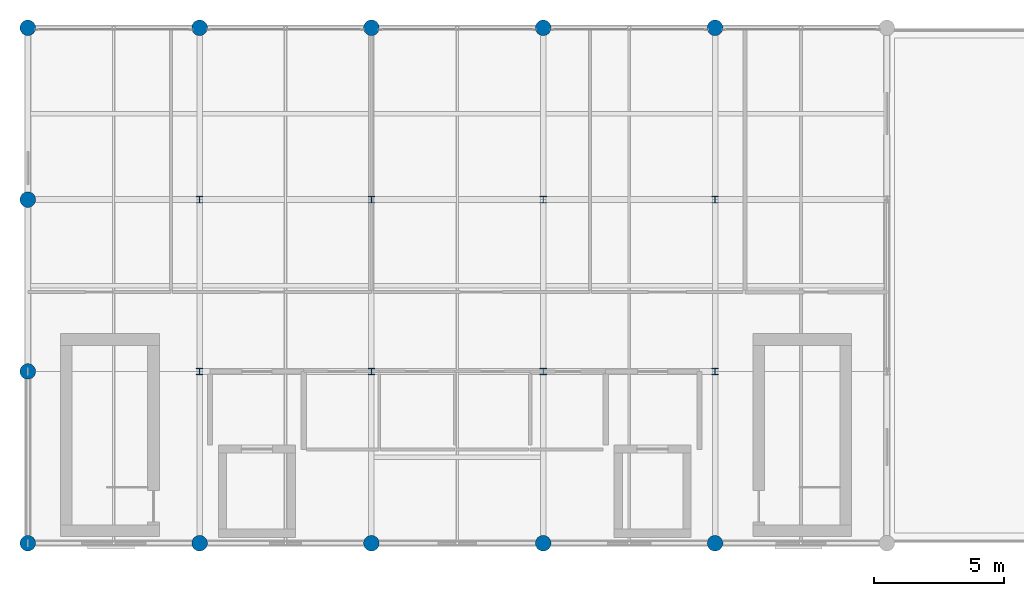
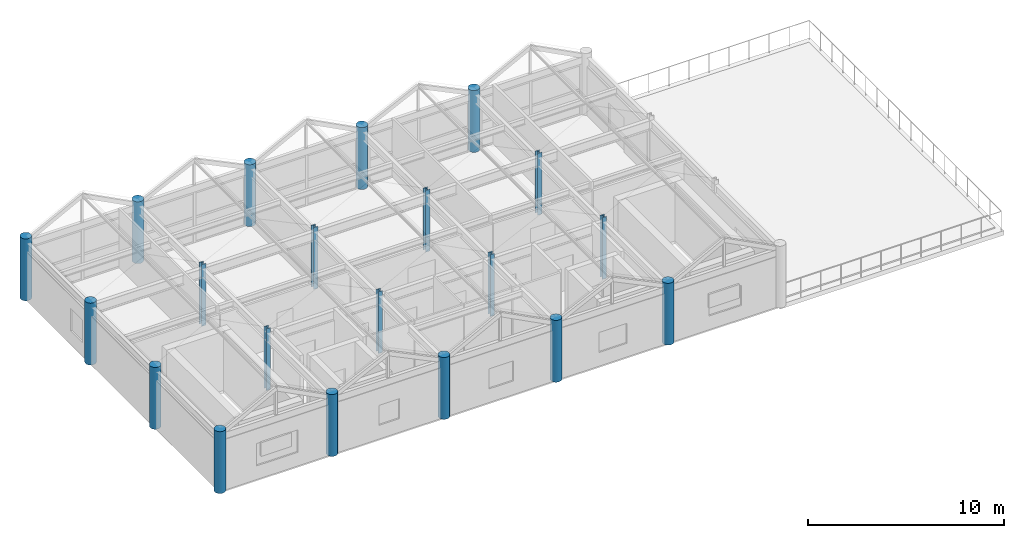
# One storey, part 1 of 21: 20 columns.
"""IFC4 building model written with IfcOpenShell, lengths in metres."""

from ifc_helpers import new_model, si_unit, direction, frame, origin, origin_2d, place, context, subcontext, project, spatial, circle, i_section, extrude, material, material_profile, profile_set, type_object, element, save


model = new_model("IFC4")

# Units and contexts
model_context = context("Model", 3, precision=1e-05, world=origin(), true_north=direction((0.0, 1.0)))
body_context = subcontext(model_context, "Body", "Model", "MODEL_VIEW")
ifc_project = project(units=[si_unit("LENGTHUNIT", "METRE"), si_unit("AREAUNIT", "SQUARE_METRE"), si_unit("VOLUMEUNIT", "CUBIC_METRE"), si_unit("PLANEANGLEUNIT", "RADIAN"), si_unit("MASSUNIT", "GRAM", prefix="KILO")], contexts=[model_context])

# Site, building, storey
site_placement = place(None, origin())
site = spatial("IfcSite", under=ifc_project, at=site_placement, CompositionType="ELEMENT")
building_placement = place(site_placement, origin())
building = spatial("IfcBuilding", under=site, at=building_placement, Name="Karori Crest Natural Sciences Institute", CompositionType="ELEMENT")
storey_placement = place(building_placement, frame((0.0, 0.0, 42.0)))
storey = spatial("IfcBuildingStorey", under=building, at=storey_placement, Name="L10", CompositionType="ELEMENT", Elevation=42.0)

# Columns
ifc_material_1 = material(Name="Structural steel AS/NZS 3679.1 Grade 350", Category="steel")
ifc_material_profile_1 = material_profile(ifc_material_1, i_section(OverallWidth=0.25390625, OverallDepth=0.25390625, WebThickness=0.008544921875, FlangeThickness=0.01416015625, FilletRadius=0.013916015625, at=origin_2d()), Name="250UC72.9")
ifc_profile_set_1 = profile_set([ifc_material_profile_1], Name="Structural steel AS/NZS 3679.1 Grade 350")
column_type_1 = type_object("IfcColumnType", Name="CT-07-IL", PredefinedType="COLUMN", material=ifc_profile_set_1)
for number, where, z_axis, x_axis, name in (
    (1, (110.199951171875, 7.39990234375, 0.0), (0.0, 0.0, 1.0), (1.0, 0.0, 0.0), "Column C-1088"),
    (2, (110.199951171875, 14.0, 0.0), (0.0, 0.0, 1.0), (1.0, 0.0, 0.0), "Column C-1100"),
    (3, (116.800048828125, 7.39990234375, 0.0), (0.0, 0.0, 1.0), (1.0, 0.0, 0.0), "Column C-1136"),
    (4, (116.800048828125, 14.0, 0.0), (0.0, 0.0, 1.0), (1.0, 0.0, 0.0), "Column C-1148"),
    (5, (123.39990234375, 7.39990234375, 0.0), (0.0, 0.0, 1.0), (1.0, 0.0, 0.0), "Column C-1184"),
    (6, (123.39990234375, 14.0, 0.0), (0.0, 0.0, 1.0), (1.0, 0.0, 0.0), "Column C-1196"),
    (7, (130.0, 7.39990234375, 0.0), (0.0, 0.0, 1.0), (1.0, 0.0, 0.0), "Column C-1232"),
    (8, (130.0, 14.0, 0.0), (0.0, 0.0, 1.0), (1.0, 0.0, 0.0), "Column C-1244"),
):
    element("IfcColumn", number, at=place(storey_placement, frame(where, z_axis=z_axis, x_axis=x_axis)), inside=storey, type_object=column_type_1, Name=name, PredefinedType="COLUMN", context=body_context, shape_type="SweptSolid", body=[
        extrude(i_section(OverallWidth=0.25390625, OverallDepth=0.25390625, WebThickness=0.008544921875, FlangeThickness=0.01416015625, FilletRadius=0.013916015625, at=origin_2d()), origin(), (0.0, 0.0, 1.0), 3.85009765625),
    ])
ifc_material_2 = material(Name="Concrete 50 MPa", Category="concrete")
ifc_material_profile_2 = material_profile(ifc_material_2, circle(Radius=0.300048828125, at=origin_2d()), Name="RCC600")
ifc_profile_set_2 = profile_set([ifc_material_profile_2], Name="Concrete 50 MPa")
column_type_2 = type_object("IfcColumnType", Name="CT-24", PredefinedType="PILASTER", material=ifc_profile_set_2)
for number, where, z_axis, x_axis, name in (
    (9, (103.60009765625, 0.800048828125, 0.0), (0.0, 0.0, 1.0), (1.0, 0.0, 0.0), "Column C-1028"),
    (10, (103.60009765625, 7.39990234375, 0.0), (0.0, 0.0, 1.0), (1.0, 0.0, 0.0), "Column C-1040"),
    (11, (103.60009765625, 14.0, 0.0), (0.0, 0.0, 1.0), (1.0, 0.0, 0.0), "Column C-1052"),
    (12, (103.60009765625, 20.60009765625, 0.0), (0.0, 0.0, 1.0), (1.0, 0.0, 0.0), "Column C-1064"),
    (13, (110.199951171875, 0.800048828125, 0.0), (0.0, 0.0, 1.0), (1.0, 0.0, 0.0), "Column C-1076"),
    (14, (110.199951171875, 20.60009765625, 0.0), (0.0, 0.0, 1.0), (1.0, 0.0, 0.0), "Column C-1112"),
    (15, (116.800048828125, 0.800048828125, 0.0), (0.0, 0.0, 1.0), (1.0, 0.0, 0.0), "Column C-1124"),
    (16, (116.800048828125, 20.60009765625, 0.0), (0.0, 0.0, 1.0), (1.0, 0.0, 0.0), "Column C-1160"),
    (17, (123.39990234375, 0.800048828125, 0.0), (0.0, 0.0, 1.0), (1.0, 0.0, 0.0), "Column C-1172"),
    (18, (123.39990234375, 20.60009765625, 0.0), (0.0, 0.0, 1.0), (1.0, 0.0, 0.0), "Column C-1208"),
    (19, (130.0, 0.800048828125, 0.0), (0.0, 0.0, 1.0), (1.0, 0.0, 0.0), "Column C-1220"),
    (20, (130.0, 20.60009765625, 0.0), (0.0, 0.0, 1.0), (1.0, 0.0, 0.0), "Column C-1256"),
):
    element("IfcColumn", number, at=place(storey_placement, frame(where, z_axis=z_axis, x_axis=x_axis)), inside=storey, type_object=column_type_2, Name=name, PredefinedType="PILASTER", context=body_context, shape_type="SweptSolid", body=[
        extrude(circle(Radius=0.300048828125, at=origin_2d()), origin(), (0.0, 0.0, 1.0), 3.85009765625),
    ])

save(model, "model.ifc")
